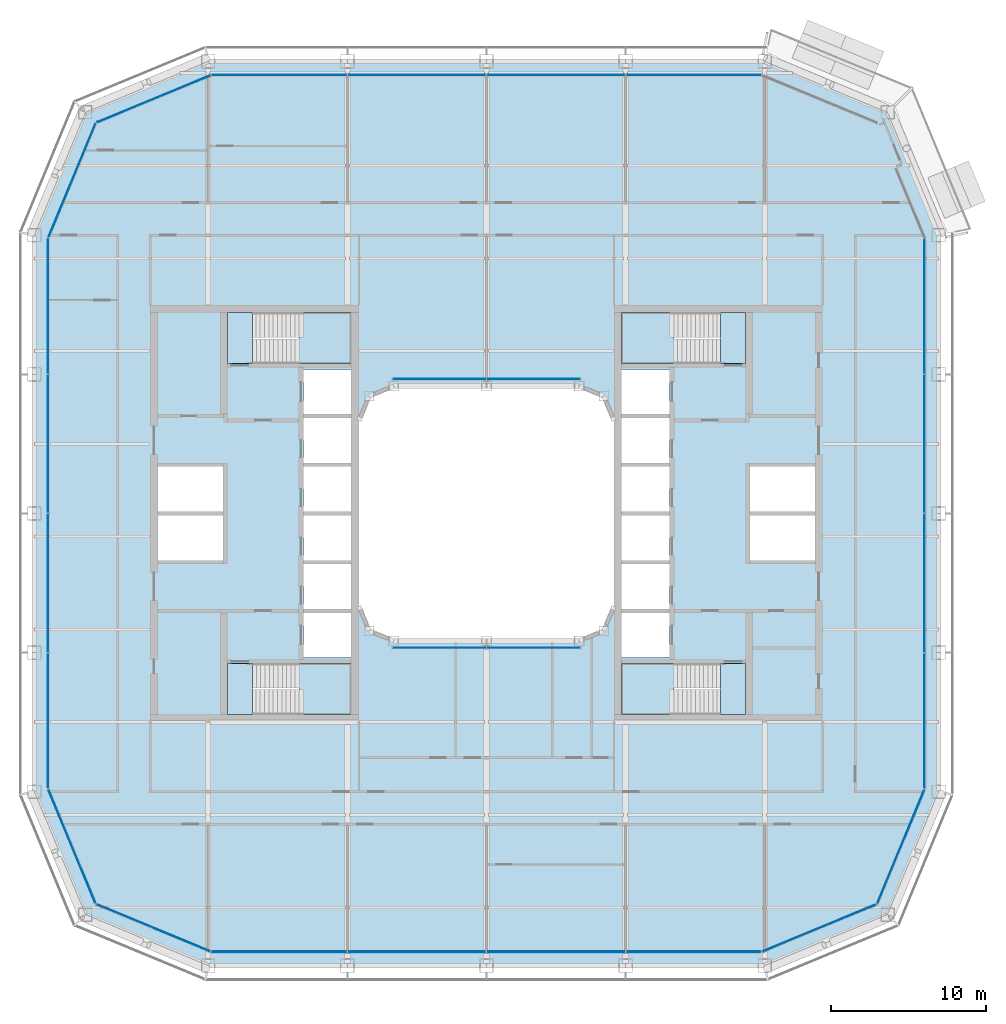
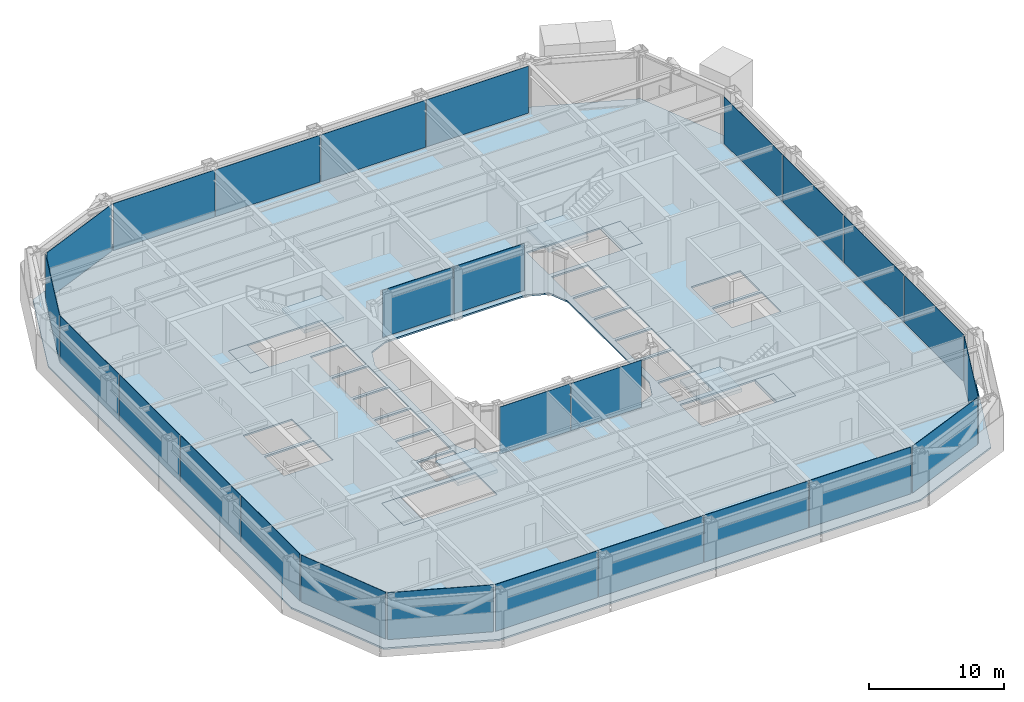
# One storey, part 10 of 23: 26 plates, 9 slabs, 16 elements without a shape of their own.
"""IFC4 building model written with IfcOpenShell, lengths in metres."""

from ifc_helpers import new_model, si_unit, direction, frame, origin, origin_2d, place, context, subcontext, project, spatial, polyline, rectangle, outline, extrude, material, layer, layer_set, type_object, element, aggregate, save


model = new_model("IFC4")

# Units and contexts
model_context = context("Model", 3, precision=1e-05, world=origin(), true_north=direction((0.0, 1.0)))
body_context = subcontext(model_context, "Body", "Model", "MODEL_VIEW")
ifc_project = project(units=[si_unit("LENGTHUNIT", "METRE"), si_unit("AREAUNIT", "SQUARE_METRE"), si_unit("VOLUMEUNIT", "CUBIC_METRE"), si_unit("PLANEANGLEUNIT", "RADIAN"), si_unit("MASSUNIT", "GRAM", prefix="KILO")], contexts=[model_context])

# Site, building, storey
site_placement = place(None, origin())
site = spatial("IfcSite", under=ifc_project, at=site_placement, CompositionType="ELEMENT")
building_placement = place(site_placement, origin())
building = spatial("IfcBuilding", under=site, at=building_placement, Name="Siwar Civic Tower", CompositionType="ELEMENT")
storey_placement = place(building_placement, frame((0.0, 0.0, 167.699951171875)))
storey = spatial("IfcBuildingStorey", under=building, at=storey_placement, Name="L36", CompositionType="ELEMENT", Elevation=167.699951171875)

# Stair, slabs
ifc_material_1 = material(Name="Concrete C40/50", Category="concrete")
stair_type = type_object("IfcStairType", Name="CORE-STAIR", PredefinedType="TWO_STRAIGHT_RUN_STAIR", material=ifc_material_1)
stair_1_placement = place(storey_placement, origin())
stair_1 = element("IfcStair", 1, at=stair_1_placement, inside=storey, type_object=stair_type, Name="Exit stair ST1", PredefinedType="TWO_STRAIGHT_RUN_STAIR")
ifc_material_2 = material(Name="Concrete C40/50", Category="concrete")
ifc_layer_1 = layer(ifc_material_2, 0.300048828125)
ifc_layer_set_1 = layer_set([ifc_layer_1], Name="Concrete C40/50")
slab_type_1 = type_object("IfcSlabType", Name="CORE-STAIR-LANDING", PredefinedType="LANDING", material=ifc_layer_set_1)
slab_1_placement = place(storey_placement, frame((0.0, 0.0, -0.300048828125)))
slab_1 = element("IfcSlab", 2, at=slab_1_placement, type_object=slab_type_1, Name="ST1 landing 1", PredefinedType="LANDING", context=body_context, shape_type="SweptSolid", body=[
    extrude(outline(polyline([(-15.14990234375, 13.0), (-16.75, 13.0), (-16.75, 9.699951171875), (-15.14990234375, 9.699951171875), (-15.14990234375, 13.0)])), origin(), (0.0, 0.0, 1.0), 0.300048828125),
])
slab_2_placement = place(storey_placement, frame((0.0, 0.0, 1.949951171875)))
slab_2 = element("IfcSlab", 3, at=slab_2_placement, type_object=slab_type_1, Name="ST1 landing 2", PredefinedType="LANDING", context=body_context, shape_type="SweptSolid", body=[
    extrude(outline(polyline([(-8.75, 13.0), (-12.139892578125, 13.0), (-12.139892578125, 9.699951171875), (-8.75, 9.699951171875), (-8.75, 13.0)])), origin(), (0.0, 0.0, 1.0), 0.300048828125),
])
aggregate(stair_1, [slab_1, slab_2])

stair_2_placement = place(storey_placement, origin())
stair_2 = element("IfcStair", 4, at=stair_2_placement, inside=storey, type_object=stair_type, Name="Exit stair ST2", PredefinedType="TWO_STRAIGHT_RUN_STAIR")
slab_3_placement = place(storey_placement, frame((0.0, 0.0, -0.300048828125)))
slab_3 = element("IfcSlab", 5, at=slab_3_placement, type_object=slab_type_1, Name="ST2 landing 1", PredefinedType="LANDING", context=body_context, shape_type="SweptSolid", body=[
    extrude(outline(polyline([(-15.14990234375, -9.699951171875), (-16.75, -9.699951171875), (-16.75, -13.0), (-15.14990234375, -13.0), (-15.14990234375, -9.699951171875)])), origin(), (0.0, 0.0, 1.0), 0.300048828125),
])
slab_4_placement = place(storey_placement, frame((0.0, 0.0, 1.949951171875)))
slab_4 = element("IfcSlab", 6, at=slab_4_placement, type_object=slab_type_1, Name="ST2 landing 2", PredefinedType="LANDING", context=body_context, shape_type="SweptSolid", body=[
    extrude(outline(polyline([(-8.75, -9.699951171875), (-12.139892578125, -9.699951171875), (-12.139892578125, -13.0), (-8.75, -13.0), (-8.75, -9.699951171875)])), origin(), (0.0, 0.0, 1.0), 0.300048828125),
])
aggregate(stair_2, [slab_3, slab_4])

stair_3_placement = place(storey_placement, origin())
stair_3 = element("IfcStair", 7, at=stair_3_placement, inside=storey, type_object=stair_type, Name="Exit stair ST3", PredefinedType="TWO_STRAIGHT_RUN_STAIR")
slab_5_placement = place(storey_placement, frame((0.0, 0.0, -0.300048828125)))
slab_5 = element("IfcSlab", 8, at=slab_5_placement, type_object=slab_type_1, Name="ST3 landing 1", PredefinedType="LANDING", context=body_context, shape_type="SweptSolid", body=[
    extrude(outline(polyline([(15.14990234375, 9.699951171875), (16.75, 9.699951171875), (16.75, 13.0), (15.14990234375, 13.0), (15.14990234375, 9.699951171875)])), origin(), (0.0, 0.0, 1.0), 0.300048828125),
])
slab_6_placement = place(storey_placement, frame((0.0, 0.0, 1.949951171875)))
slab_6 = element("IfcSlab", 9, at=slab_6_placement, type_object=slab_type_1, Name="ST3 landing 2", PredefinedType="LANDING", context=body_context, shape_type="SweptSolid", body=[
    extrude(outline(polyline([(8.75, 9.699951171875), (12.139892578125, 9.699951171875), (12.139892578125, 13.0), (8.75, 13.0), (8.75, 9.699951171875)])), origin(), (0.0, 0.0, 1.0), 0.300048828125),
])
aggregate(stair_3, [slab_5, slab_6])

stair_4_placement = place(storey_placement, origin())
stair_4 = element("IfcStair", 10, at=stair_4_placement, inside=storey, type_object=stair_type, Name="Exit stair ST4", PredefinedType="TWO_STRAIGHT_RUN_STAIR")
slab_7_placement = place(storey_placement, frame((0.0, 0.0, -0.300048828125)))
slab_7 = element("IfcSlab", 11, at=slab_7_placement, type_object=slab_type_1, Name="ST4 landing 1", PredefinedType="LANDING", context=body_context, shape_type="SweptSolid", body=[
    extrude(outline(polyline([(15.14990234375, -13.0), (16.75, -13.0), (16.75, -9.699951171875), (15.14990234375, -9.699951171875), (15.14990234375, -13.0)])), origin(), (0.0, 0.0, 1.0), 0.300048828125),
])
slab_8_placement = place(storey_placement, frame((0.0, 0.0, 1.949951171875)))
slab_8 = element("IfcSlab", 12, at=slab_8_placement, type_object=slab_type_1, Name="ST4 landing 2", PredefinedType="LANDING", context=body_context, shape_type="SweptSolid", body=[
    extrude(outline(polyline([(8.75, -13.0), (12.139892578125, -13.0), (12.139892578125, -9.699951171875), (8.75, -9.699951171875), (8.75, -13.0)])), origin(), (0.0, 0.0, 1.0), 0.300048828125),
])
aggregate(stair_4, [slab_7, slab_8])

# Curtain wall, plates
ifc_material_3 = material(Name="Aluminium and glass", Category="aluminium")
ifc_layer_2 = layer(ifc_material_3, 0.199951171875)
ifc_layer_set_2 = layer_set([ifc_layer_2], Name="Aluminium and glass")
curtain_wall_type_1 = type_object("IfcCurtainWallType", Name="ENV-CW-B", PredefinedType="NOTDEFINED", material=ifc_layer_set_2)
curtain_wall_1_placement = place(storey_placement, origin())
curtain_wall_1 = element("IfcCurtainWall", 13, at=curtain_wall_1_placement, inside=storey, type_object=curtain_wall_type_1, Name="Curtain wall B S", PredefinedType="NOTDEFINED")
ifc_material_4 = material(Name="Glass clear laminated", Category="glass")
ifc_layer_3 = layer(ifc_material_4, 0.033935546875)
ifc_layer_set_3 = layer_set([ifc_layer_3], Name="Glass clear laminated")
plate_type_1 = type_object("IfcPlateType", Name="ENV-PANEL-B", PredefinedType="CURTAIN_PANEL", material=ifc_layer_set_3)
plate_1_placement = place(storey_placement, frame((-13.410400390625, -28.35009765625, 0.10986328125), z_axis=(0.0, 0.0, 1.0), x_axis=(1.0, 0.0, 0.0)))
plate_1 = element("IfcPlate", 14, at=plate_1_placement, type_object=plate_type_1, Name="Curtain panel B S 1", PredefinedType="CURTAIN_PANEL", context=body_context, shape_type="SweptSolid", body=[
    extrude(rectangle(XDim=8.755859375, YDim=0.033935546875, at=origin_2d()), origin(), (0.0, 0.0, 1.0), 4.239990234375),
])
plate_2_placement = place(storey_placement, frame((-4.5, -28.35009765625, 0.10986328125), z_axis=(0.0, 0.0, 1.0), x_axis=(1.0, 0.0, 0.0)))
plate_2 = element("IfcPlate", 15, at=plate_2_placement, type_object=plate_type_1, Name="Curtain panel B S 2", PredefinedType="CURTAIN_PANEL", context=body_context, shape_type="SweptSolid", body=[
    extrude(rectangle(XDim=8.93505859375, YDim=0.033935546875, at=origin_2d()), origin(), (0.0, 0.0, 1.0), 4.239990234375),
])
plate_3_placement = place(storey_placement, frame((4.5, -28.35009765625, 0.10986328125), z_axis=(0.0, 0.0, 1.0), x_axis=(1.0, 0.0, 0.0)))
plate_3 = element("IfcPlate", 16, at=plate_3_placement, type_object=plate_type_1, Name="Curtain panel B S 3", PredefinedType="CURTAIN_PANEL", context=body_context, shape_type="SweptSolid", body=[
    extrude(rectangle(XDim=8.93505859375, YDim=0.033935546875, at=origin_2d()), origin(), (0.0, 0.0, 1.0), 4.239990234375),
])
plate_4_placement = place(storey_placement, frame((13.369873046875, -28.35009765625, 0.10986328125), z_axis=(0.0, 0.0, 1.0), x_axis=(1.0, 0.0, 0.0)))
plate_4 = element("IfcPlate", 17, at=plate_4_placement, type_object=plate_type_1, Name="Curtain panel B S 4", PredefinedType="CURTAIN_PANEL", context=body_context, shape_type="SweptSolid", body=[
    extrude(rectangle(XDim=8.6748046875, YDim=0.033935546875, at=origin_2d()), origin(), (0.0, 0.0, 1.0), 4.239990234375),
])
aggregate(curtain_wall_1, [plate_1, plate_2, plate_3, plate_4])

curtain_wall_2_placement = place(storey_placement, origin())
curtain_wall_2 = element("IfcCurtainWall", 18, at=curtain_wall_2_placement, inside=storey, type_object=curtain_wall_type_1, Name="Curtain wall B E", PredefinedType="NOTDEFINED")
plate_5_placement = place(storey_placement, frame((28.35009765625, -13.410400390625, 0.10986328125), z_axis=(0.0, 0.0, 1.0), x_axis=(0.0, 1.0, 0.0)))
plate_5 = element("IfcPlate", 19, at=plate_5_placement, type_object=plate_type_1, Name="Curtain panel B E 1", PredefinedType="CURTAIN_PANEL", context=body_context, shape_type="SweptSolid", body=[
    extrude(rectangle(XDim=8.755859375, YDim=0.033935546875, at=origin_2d()), origin(), (0.0, 0.0, 1.0), 4.239990234375),
])
plate_6_placement = place(storey_placement, frame((28.35009765625, -4.5, 0.10986328125), z_axis=(0.0, 0.0, 1.0), x_axis=(0.0, 1.0, 0.0)))
plate_6 = element("IfcPlate", 20, at=plate_6_placement, type_object=plate_type_1, Name="Curtain panel B E 2", PredefinedType="CURTAIN_PANEL", context=body_context, shape_type="SweptSolid", body=[
    extrude(rectangle(XDim=8.93505859375, YDim=0.033935546875, at=origin_2d()), origin(), (0.0, 0.0, 1.0), 4.239990234375),
])
plate_7_placement = place(storey_placement, frame((28.35009765625, 4.5, 0.10986328125), z_axis=(0.0, 0.0, 1.0), x_axis=(0.0, 1.0, 0.0)))
plate_7 = element("IfcPlate", 21, at=plate_7_placement, type_object=plate_type_1, Name="Curtain panel B E 3", PredefinedType="CURTAIN_PANEL", context=body_context, shape_type="SweptSolid", body=[
    extrude(rectangle(XDim=8.93505859375, YDim=0.033935546875, at=origin_2d()), origin(), (0.0, 0.0, 1.0), 4.239990234375),
])
plate_8_placement = place(storey_placement, frame((28.35009765625, 13.369873046875, 0.10986328125), z_axis=(0.0, 0.0, 1.0), x_axis=(0.0, 1.0, 0.0)))
plate_8 = element("IfcPlate", 22, at=plate_8_placement, type_object=plate_type_1, Name="Curtain panel B E 4", PredefinedType="CURTAIN_PANEL", context=body_context, shape_type="SweptSolid", body=[
    extrude(rectangle(XDim=8.6748046875, YDim=0.033935546875, at=origin_2d()), origin(), (0.0, 0.0, 1.0), 4.239990234375),
])
aggregate(curtain_wall_2, [plate_5, plate_6, plate_7, plate_8])

curtain_wall_3_placement = place(storey_placement, origin())
curtain_wall_3 = element("IfcCurtainWall", 23, at=curtain_wall_3_placement, inside=storey, type_object=curtain_wall_type_1, Name="Curtain wall B N", PredefinedType="NOTDEFINED")
plate_9_placement = place(storey_placement, frame((13.410400390625, 28.35009765625, 0.10986328125), z_axis=(0.0, 0.0, 1.0), x_axis=(-1.0, 0.0, 0.0)))
plate_9 = element("IfcPlate", 24, at=plate_9_placement, type_object=plate_type_1, Name="Curtain panel B N 1", PredefinedType="CURTAIN_PANEL", context=body_context, shape_type="SweptSolid", body=[
    extrude(rectangle(XDim=8.755859375, YDim=0.033935546875, at=origin_2d()), origin(), (0.0, 0.0, 1.0), 4.239990234375),
])
plate_10_placement = place(storey_placement, frame((4.5, 28.35009765625, 0.10986328125), z_axis=(0.0, 0.0, 1.0), x_axis=(-1.0, 0.0, 0.0)))
plate_10 = element("IfcPlate", 25, at=plate_10_placement, type_object=plate_type_1, Name="Curtain panel B N 2", PredefinedType="CURTAIN_PANEL", context=body_context, shape_type="SweptSolid", body=[
    extrude(rectangle(XDim=8.93505859375, YDim=0.033935546875, at=origin_2d()), origin(), (0.0, 0.0, 1.0), 4.239990234375),
])
plate_11_placement = place(storey_placement, frame((-4.5, 28.35009765625, 0.10986328125), z_axis=(0.0, 0.0, 1.0), x_axis=(-1.0, 0.0, 0.0)))
plate_11 = element("IfcPlate", 26, at=plate_11_placement, type_object=plate_type_1, Name="Curtain panel B N 3", PredefinedType="CURTAIN_PANEL", context=body_context, shape_type="SweptSolid", body=[
    extrude(rectangle(XDim=8.93505859375, YDim=0.033935546875, at=origin_2d()), origin(), (0.0, 0.0, 1.0), 4.239990234375),
])
plate_12_placement = place(storey_placement, frame((-13.369873046875, 28.35009765625, 0.10986328125), z_axis=(0.0, 0.0, 1.0), x_axis=(-1.0, 0.0, 0.0)))
plate_12 = element("IfcPlate", 27, at=plate_12_placement, type_object=plate_type_1, Name="Curtain panel B N 4", PredefinedType="CURTAIN_PANEL", context=body_context, shape_type="SweptSolid", body=[
    extrude(rectangle(XDim=8.6748046875, YDim=0.033935546875, at=origin_2d()), origin(), (0.0, 0.0, 1.0), 4.239990234375),
])
aggregate(curtain_wall_3, [plate_9, plate_10, plate_11, plate_12])

curtain_wall_4_placement = place(storey_placement, origin())
curtain_wall_4 = element("IfcCurtainWall", 28, at=curtain_wall_4_placement, inside=storey, type_object=curtain_wall_type_1, Name="Curtain wall B W", PredefinedType="NOTDEFINED")
plate_13_placement = place(storey_placement, frame((-28.35009765625, 13.410400390625, 0.10986328125), z_axis=(0.0, 0.0, 1.0), x_axis=(0.0, -1.0, 0.0)))
plate_13 = element("IfcPlate", 29, at=plate_13_placement, type_object=plate_type_1, Name="Curtain panel B W 1", PredefinedType="CURTAIN_PANEL", context=body_context, shape_type="SweptSolid", body=[
    extrude(rectangle(XDim=8.755859375, YDim=0.033935546875, at=origin_2d()), origin(), (0.0, 0.0, 1.0), 4.239990234375),
])
plate_14_placement = place(storey_placement, frame((-28.35009765625, 4.5, 0.10986328125), z_axis=(0.0, 0.0, 1.0), x_axis=(0.0, -1.0, 0.0)))
plate_14 = element("IfcPlate", 30, at=plate_14_placement, type_object=plate_type_1, Name="Curtain panel B W 2", PredefinedType="CURTAIN_PANEL", context=body_context, shape_type="SweptSolid", body=[
    extrude(rectangle(XDim=8.93505859375, YDim=0.033935546875, at=origin_2d()), origin(), (0.0, 0.0, 1.0), 4.239990234375),
])
plate_15_placement = place(storey_placement, frame((-28.35009765625, -4.5, 0.10986328125), z_axis=(0.0, 0.0, 1.0), x_axis=(0.0, -1.0, 0.0)))
plate_15 = element("IfcPlate", 31, at=plate_15_placement, type_object=plate_type_1, Name="Curtain panel B W 3", PredefinedType="CURTAIN_PANEL", context=body_context, shape_type="SweptSolid", body=[
    extrude(rectangle(XDim=8.93505859375, YDim=0.033935546875, at=origin_2d()), origin(), (0.0, 0.0, 1.0), 4.239990234375),
])
plate_16_placement = place(storey_placement, frame((-28.35009765625, -13.369873046875, 0.10986328125), z_axis=(0.0, 0.0, 1.0), x_axis=(0.0, -1.0, 0.0)))
plate_16 = element("IfcPlate", 32, at=plate_16_placement, type_object=plate_type_1, Name="Curtain panel B W 4", PredefinedType="CURTAIN_PANEL", context=body_context, shape_type="SweptSolid", body=[
    extrude(rectangle(XDim=8.6748046875, YDim=0.033935546875, at=origin_2d()), origin(), (0.0, 0.0, 1.0), 4.239990234375),
])
aggregate(curtain_wall_4, [plate_13, plate_14, plate_15, plate_16])

# Curtain wall, plate
ifc_material_5 = material(Name="Aluminium clad insulated panel", Category="aluminium")
ifc_layer_4 = layer(ifc_material_5, 0.199951171875)
ifc_layer_set_4 = layer_set([ifc_layer_4], Name="Aluminium clad insulated panel")
curtain_wall_type_2 = type_object("IfcCurtainWallType", Name="ENV-CW-BX", PredefinedType="NOTDEFINED", material=ifc_layer_set_4)
curtain_wall_5_placement = place(storey_placement, origin())
curtain_wall_5 = element("IfcCurtainWall", 33, at=curtain_wall_5_placement, inside=storey, type_object=curtain_wall_type_2, Name="Curtain wall B SE1", PredefinedType="NOTDEFINED")
ifc_material_6 = material(Name="Aluminium clad insulated panel", Category="aluminium")
ifc_layer_5 = layer(ifc_material_6, 0.033935546875)
ifc_layer_set_5 = layer_set([ifc_layer_5], Name="Aluminium clad insulated panel")
plate_type_2 = type_object("IfcPlateType", Name="ENV-PANEL-BX", PredefinedType="CURTAIN_PANEL", material=ifc_layer_set_5)
plate_17_placement = place(storey_placement, frame((21.506103515625, -26.823486328125, 0.10986328125), z_axis=(0.0, 0.0, 1.0), x_axis=(0.923879532511, 0.382683432365, 0.0)))
plate_17 = element("IfcPlate", 34, at=plate_17_placement, type_object=plate_type_2, Name="Curtain panel B SE1 1", PredefinedType="CURTAIN_PANEL", context=body_context, shape_type="SweptSolid", body=[
    extrude(rectangle(XDim=7.912353515625, YDim=0.033935546875, at=origin_2d()), origin(), (0.0, 0.0, 1.0), 4.239990234375),
])
aggregate(curtain_wall_5, [plate_17])

curtain_wall_6_placement = place(storey_placement, origin())
curtain_wall_6 = element("IfcCurtainWall", 35, at=curtain_wall_6_placement, inside=storey, type_object=curtain_wall_type_2, Name="Curtain wall B SE2", PredefinedType="NOTDEFINED")
plate_18_placement = place(storey_placement, frame((26.79248046875, -21.5810546875, 0.10986328125), z_axis=(0.0, 0.0, 1.0), x_axis=(0.382683432365, 0.923879532511, 0.0)))
plate_18 = element("IfcPlate", 36, at=plate_18_placement, type_object=plate_type_2, Name="Curtain panel B SE2 1", PredefinedType="CURTAIN_PANEL", context=body_context, shape_type="SweptSolid", body=[
    extrude(rectangle(XDim=7.912353515625, YDim=0.033935546875, at=origin_2d()), origin(), (0.0, 0.0, 1.0), 4.239990234375),
])
aggregate(curtain_wall_6, [plate_18])

curtain_wall_7_placement = place(storey_placement, origin())
curtain_wall_7 = element("IfcCurtainWall", 37, at=curtain_wall_7_placement, inside=storey, type_object=curtain_wall_type_2, Name="Curtain wall B NW1", PredefinedType="NOTDEFINED")
plate_19_placement = place(storey_placement, frame((-21.506103515625, 26.823486328125, 0.10986328125), z_axis=(0.0, 0.0, 1.0), x_axis=(-0.923879532511, -0.382683432365, 0.0)))
plate_19 = element("IfcPlate", 38, at=plate_19_placement, type_object=plate_type_2, Name="Curtain panel B NW1 1", PredefinedType="CURTAIN_PANEL", context=body_context, shape_type="SweptSolid", body=[
    extrude(rectangle(XDim=7.912353515625, YDim=0.033935546875, at=origin_2d()), origin(), (0.0, 0.0, 1.0), 4.239990234375),
])
aggregate(curtain_wall_7, [plate_19])

curtain_wall_8_placement = place(storey_placement, origin())
curtain_wall_8 = element("IfcCurtainWall", 39, at=curtain_wall_8_placement, inside=storey, type_object=curtain_wall_type_2, Name="Curtain wall B NW2", PredefinedType="NOTDEFINED")
plate_20_placement = place(storey_placement, frame((-26.79248046875, 21.5810546875, 0.10986328125), z_axis=(0.0, 0.0, 1.0), x_axis=(-0.382683432365, -0.923879532511, 0.0)))
plate_20 = element("IfcPlate", 40, at=plate_20_placement, type_object=plate_type_2, Name="Curtain panel B NW2 1", PredefinedType="CURTAIN_PANEL", context=body_context, shape_type="SweptSolid", body=[
    extrude(rectangle(XDim=7.912353515625, YDim=0.033935546875, at=origin_2d()), origin(), (0.0, 0.0, 1.0), 4.239990234375),
])
aggregate(curtain_wall_8, [plate_20])

curtain_wall_9_placement = place(storey_placement, origin())
curtain_wall_9 = element("IfcCurtainWall", 41, at=curtain_wall_9_placement, inside=storey, type_object=curtain_wall_type_2, Name="Curtain wall B SW1", PredefinedType="NOTDEFINED")
plate_21_placement = place(storey_placement, frame((-26.823486328125, -21.506103515625, 0.10986328125), z_axis=(0.0, 0.0, 1.0), x_axis=(0.382683432365, -0.923879532511, 0.0)))
plate_21 = element("IfcPlate", 42, at=plate_21_placement, type_object=plate_type_2, Name="Curtain panel B SW1 1", PredefinedType="CURTAIN_PANEL", context=body_context, shape_type="SweptSolid", body=[
    extrude(rectangle(XDim=7.912353515625, YDim=0.033935546875, at=origin_2d()), origin(), (0.0, 0.0, 1.0), 4.239990234375),
])
aggregate(curtain_wall_9, [plate_21])

curtain_wall_10_placement = place(storey_placement, origin())
curtain_wall_10 = element("IfcCurtainWall", 43, at=curtain_wall_10_placement, inside=storey, type_object=curtain_wall_type_2, Name="Curtain wall B SW2", PredefinedType="NOTDEFINED")
plate_22_placement = place(storey_placement, frame((-21.5810546875, -26.79248046875, 0.10986328125), z_axis=(0.0, 0.0, 1.0), x_axis=(0.923879532511, -0.382683432365, 0.0)))
plate_22 = element("IfcPlate", 44, at=plate_22_placement, type_object=plate_type_2, Name="Curtain panel B SW2 1", PredefinedType="CURTAIN_PANEL", context=body_context, shape_type="SweptSolid", body=[
    extrude(rectangle(XDim=7.912353515625, YDim=0.033935546875, at=origin_2d()), origin(), (0.0, 0.0, 1.0), 4.239990234375),
])
aggregate(curtain_wall_10, [plate_22])

# Curtain wall, plates
ifc_material_7 = material(Name="Aluminium and glass", Category="aluminium")
ifc_layer_6 = layer(ifc_material_7, 0.179931640625)
ifc_layer_set_6 = layer_set([ifc_layer_6], Name="Aluminium and glass")
curtain_wall_type_3 = type_object("IfcCurtainWallType", Name="ENV-CW-W", PredefinedType="NOTDEFINED", material=ifc_layer_set_6)
curtain_wall_11_placement = place(storey_placement, origin())
curtain_wall_11 = element("IfcCurtainWall", 45, at=curtain_wall_11_placement, inside=storey, type_object=curtain_wall_type_3, Name="Curtain wall W WS", PredefinedType="NOTDEFINED")
ifc_material_8 = material(Name="Glass clear laminated", Category="glass")
ifc_layer_7 = layer(ifc_material_8, 0.031982421875)
ifc_layer_set_7 = layer_set([ifc_layer_7], Name="Glass clear laminated")
plate_type_3 = type_object("IfcPlateType", Name="ENV-PANEL-W", PredefinedType="CURTAIN_PANEL", material=ifc_layer_set_7)
plate_23_placement = place(storey_placement, frame((-3.043212890625, -8.68505859375, 0.10009765625), z_axis=(0.0, 0.0, 1.0), x_axis=(1.0, 0.0, 0.0)))
plate_23 = element("IfcPlate", 46, at=plate_23_placement, type_object=plate_type_3, Name="Curtain panel W WS 1", PredefinedType="CURTAIN_PANEL", context=body_context, shape_type="SweptSolid", body=[
    extrude(rectangle(XDim=6.026611328125, YDim=0.031982421875, at=origin_2d()), origin(), (0.0, 0.0, 1.0), 4.25),
])
plate_24_placement = place(storey_placement, frame((3.043212890625, -8.68505859375, 0.10009765625), z_axis=(0.0, 0.0, 1.0), x_axis=(1.0, 0.0, 0.0)))
plate_24 = element("IfcPlate", 47, at=plate_24_placement, type_object=plate_type_3, Name="Curtain panel W WS 2", PredefinedType="CURTAIN_PANEL", context=body_context, shape_type="SweptSolid", body=[
    extrude(rectangle(XDim=6.026611328125, YDim=0.031982421875, at=origin_2d()), origin(), (0.0, 0.0, 1.0), 4.25),
])
aggregate(curtain_wall_11, [plate_23, plate_24])

curtain_wall_12_placement = place(storey_placement, origin())
curtain_wall_12 = element("IfcCurtainWall", 48, at=curtain_wall_12_placement, inside=storey, type_object=curtain_wall_type_3, Name="Curtain wall W WN", PredefinedType="NOTDEFINED")
plate_25_placement = place(storey_placement, frame((3.043212890625, 8.68505859375, 0.10009765625), z_axis=(0.0, 0.0, 1.0), x_axis=(-1.0, 0.0, 0.0)))
plate_25 = element("IfcPlate", 49, at=plate_25_placement, type_object=plate_type_3, Name="Curtain panel W WN 1", PredefinedType="CURTAIN_PANEL", context=body_context, shape_type="SweptSolid", body=[
    extrude(rectangle(XDim=6.026611328125, YDim=0.031982421875, at=origin_2d()), origin(), (0.0, 0.0, 1.0), 4.25),
])
plate_26_placement = place(storey_placement, frame((-3.043212890625, 8.68505859375, 0.10009765625), z_axis=(0.0, 0.0, 1.0), x_axis=(-1.0, 0.0, 0.0)))
plate_26 = element("IfcPlate", 50, at=plate_26_placement, type_object=plate_type_3, Name="Curtain panel W WN 2", PredefinedType="CURTAIN_PANEL", context=body_context, shape_type="SweptSolid", body=[
    extrude(rectangle(XDim=6.026611328125, YDim=0.031982421875, at=origin_2d()), origin(), (0.0, 0.0, 1.0), 4.25),
])
aggregate(curtain_wall_12, [plate_25, plate_26])

# Slab
ifc_material_9 = material(Name="Concrete C40/50", Category="concrete")
ifc_layer_8 = layer(ifc_material_9, 0.14990234375)
ifc_layer_set_8 = layer_set([ifc_layer_8], Name="Concrete C40/50")
slab_type_2 = type_object("IfcSlabType", Name="STR-FLOOR-DECK-150", PredefinedType="FLOOR", material=ifc_layer_set_8)
slab_9_placement = place(storey_placement, frame((0.0, 0.0, -0.14990234375)))
element("IfcSlab", 51, at=slab_9_placement, inside=storey, type_object=slab_type_2, Name="L36/slab/1", PredefinedType="FLOOR", context=body_context, shape_type="SweptSolid", body=[
    extrude(outline(polyline([(-18.0, -29.25), (18.0, -29.25), (25.954833984375, -25.954833984375), (29.25, -18.0), (29.25, 18.0), (25.954833984375, 25.954833984375), (18.0, 29.25), (-18.0, 29.25), (-25.954833984375, 25.954833984375), (-29.25, 18.0), (-29.25, -18.0), (-25.954833984375, -25.954833984375), (-18.0, -29.25)]), holes=[polyline([(21.25, 3.02490234375), (21.25, 0.125), (17.050048828125, 0.125), (17.050048828125, 3.02490234375), (21.25, 3.02490234375)]), polyline([(17.050048828125, -0.125), (21.25, -0.125), (21.25, -3.02490234375), (17.050048828125, -3.02490234375), (17.050048828125, -0.125)]), polyline([(16.75, 13.0), (16.75, 9.699951171875), (8.75, 9.699951171875), (8.75, 13.0), (16.75, 13.0)]), polyline([(8.75, -9.699951171875), (16.75, -9.699951171875), (16.75, -13.0), (8.75, -13.0), (8.75, -9.699951171875)]), polyline([(11.85009765625, 9.324951171875), (11.85009765625, 6.425048828125), (8.75, 6.425048828125), (8.75, 9.324951171875), (11.85009765625, 9.324951171875)]), polyline([(11.85009765625, 3.02490234375), (11.85009765625, 0.125), (8.75, 0.125), (8.75, 3.02490234375), (11.85009765625, 3.02490234375)]), polyline([(11.85009765625, -0.125), (11.85009765625, -3.02490234375), (8.75, -3.02490234375), (8.75, -0.125), (11.85009765625, -0.125)]), polyline([(11.85009765625, -3.27490234375), (11.85009765625, -6.175048828125), (8.75, -6.175048828125), (8.75, -3.27490234375), (11.85009765625, -3.27490234375)]), polyline([(8.75, 6.175048828125), (11.85009765625, 6.175048828125), (11.85009765625, 3.27490234375), (8.75, 3.27490234375), (8.75, 6.175048828125)]), polyline([(8.75, -6.425048828125), (11.85009765625, -6.425048828125), (11.85009765625, -9.324951171875), (8.75, -9.324951171875), (8.75, -6.425048828125)]), polyline([(-6.0, 8.25), (6.0, 8.25), (7.591064453125, 7.591064453125), (8.25, 6.0), (8.25, -6.0), (7.591064453125, -7.591064453125), (6.0, -8.25), (-6.0, -8.25), (-7.591064453125, -7.591064453125), (-8.25, -6.0), (-8.25, 6.0), (-7.591064453125, 7.591064453125), (-6.0, 8.25)]), polyline([(-8.75, 9.699951171875), (-16.75, 9.699951171875), (-16.75, 13.0), (-8.75, 13.0), (-8.75, 9.699951171875)]), polyline([(-8.75, 0.125), (-11.85009765625, 0.125), (-11.85009765625, 3.02490234375), (-8.75, 3.02490234375), (-8.75, 0.125)]), polyline([(-8.75, -6.175048828125), (-11.85009765625, -6.175048828125), (-11.85009765625, -3.27490234375), (-8.75, -3.27490234375), (-8.75, -6.175048828125)]), polyline([(-8.75, -9.324951171875), (-11.85009765625, -9.324951171875), (-11.85009765625, -6.425048828125), (-8.75, -6.425048828125), (-8.75, -9.324951171875)]), polyline([(-8.75, -13.0), (-16.75, -13.0), (-16.75, -9.699951171875), (-8.75, -9.699951171875), (-8.75, -13.0)]), polyline([(-11.85009765625, 6.425048828125), (-11.85009765625, 9.324951171875), (-8.75, 9.324951171875), (-8.75, 6.425048828125), (-11.85009765625, 6.425048828125)]), polyline([(-11.85009765625, 3.27490234375), (-11.85009765625, 6.175048828125), (-8.75, 6.175048828125), (-8.75, 3.27490234375), (-11.85009765625, 3.27490234375)]), polyline([(-11.85009765625, -3.02490234375), (-11.85009765625, -0.125), (-8.75, -0.125), (-8.75, -3.02490234375), (-11.85009765625, -3.02490234375)]), polyline([(-21.25, -3.02490234375), (-21.25, -0.125), (-17.050048828125, -0.125), (-17.050048828125, -3.02490234375), (-21.25, -3.02490234375)]), polyline([(-17.050048828125, 0.125), (-21.25, 0.125), (-21.25, 3.02490234375), (-17.050048828125, 3.02490234375), (-17.050048828125, 0.125)])]), origin(), (0.0, 0.0, 1.0), 0.14990234375),
])

save(model, "model.ifc")
